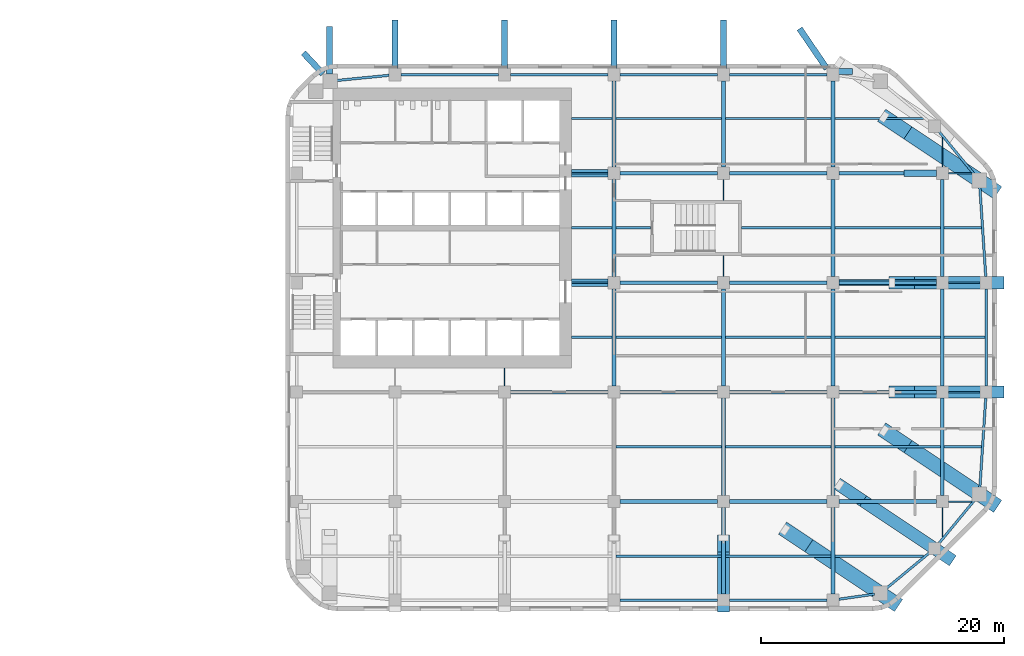
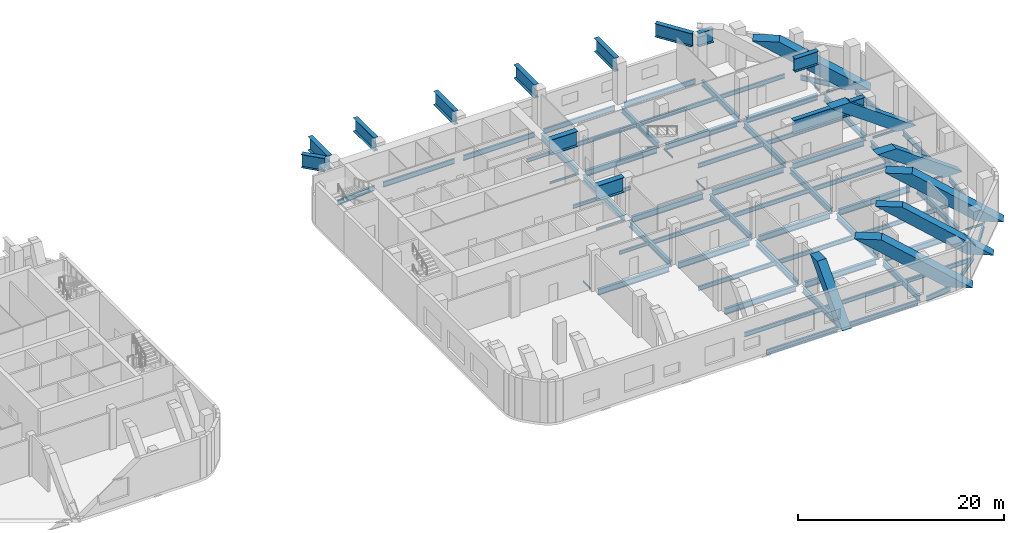
# One storey, part 3 of 14: 86 beams, 7 members.
"""IFC4 building model written with IfcOpenShell, lengths in metres."""

from ifc_helpers import new_model, si_unit, direction, frame, origin, origin_2d, place, context, subcontext, project, spatial, rectangle, i_section, extrude, material, material_profile, profile_set, type_object, element, save


model = new_model("IFC4")

# Units and contexts
model_context = context("Model", 3, precision=1e-05, world=origin(), true_north=direction((0.0, 1.0)))
body_context = subcontext(model_context, "Body", "Model", "MODEL_VIEW")
ifc_project = project(units=[si_unit("LENGTHUNIT", "METRE"), si_unit("AREAUNIT", "SQUARE_METRE"), si_unit("VOLUMEUNIT", "CUBIC_METRE"), si_unit("PLANEANGLEUNIT", "RADIAN"), si_unit("MASSUNIT", "GRAM", prefix="KILO")], contexts=[model_context])

# Site, building, storey
site_placement = place(None, origin())
site = spatial("IfcSite", under=ifc_project, at=site_placement, CompositionType="ELEMENT")
building_placement = place(site_placement, origin())
building = spatial("IfcBuilding", under=site, at=building_placement, Name="Cinnabar Reach Civic Tower", CompositionType="ELEMENT")
storey_placement = place(building_placement, frame((0.0, 0.0, 95.0)))
storey = spatial("IfcBuildingStorey", under=building, at=storey_placement, Name="L22", CompositionType="ELEMENT", Elevation=95.0)

# Beams
ifc_material_1 = material(Name="Steel Q355B", Category="steel")
ifc_material_profile_1 = material_profile(ifc_material_1, i_section(OverallWidth=0.099, OverallDepth=0.198, WebThickness=0.0045, FlangeThickness=0.007, FilletRadius=0.013, at=origin_2d()), Name="HN200x100x5.5x8")
ifc_profile_set_1 = profile_set([ifc_material_profile_1], Name="Steel Q355B")
beam_type_1 = type_object("IfcBeamType", Name="HN200x100x5.5x8 beam R 180", PredefinedType="BEAM", material=ifc_profile_set_1)
beam_1_placement = place(storey_placement, frame((18.0, 18.502, -0.399), z_axis=(0.0, 1.0, 0.0), x_axis=(-1.0, 0.0, 0.0)))
element("IfcBeam", 1, at=beam_1_placement, inside=storey, type_object=beam_type_1, Name="Girder T1 L22 6", PredefinedType="BEAM", context=body_context, shape_type="SweptSolid", body=[
    extrude(i_section(OverallWidth=0.099, OverallDepth=0.198, WebThickness=0.0045, FlangeThickness=0.007, FilletRadius=0.013, at=origin_2d()), origin(), (0.0, 0.0, 1.0), 1.496),
])
for number, where, z_axis, x_axis, name in (
    (2, (36.0, 27.502, -0.399), (0.0, 1.0, 0.0), (-1.0, 0.0, 0.0), "Girder T1 L22 15"),
    (3, (36.0, 33.752, -0.399), (0.0, 1.0, 0.0), (-1.0, 0.0, 0.0), "Girder T1 L22 16"),
):
    element("IfcBeam", number, at=place(storey_placement, frame(where, z_axis=z_axis, x_axis=x_axis)), inside=storey, type_object=beam_type_1, Name=name, PredefinedType="BEAM", context=body_context, shape_type="SweptSolid", body=[
        extrude(i_section(OverallWidth=0.099, OverallDepth=0.198, WebThickness=0.0045, FlangeThickness=0.007, FilletRadius=0.013, at=origin_2d()), origin(), (0.0, 0.0, 1.0), 1.746),
    ])
for number, where, z_axis, x_axis, name in (
    (4, (54.0, 6.0682, -0.399), (0.0, 1.0, 0.0), (-1.0, 0.0, 0.0), "Girder T1 L22 23"),
    (5, (54.0, 36.502, -0.399), (0.0, 1.0, 0.0), (-1.0, 0.0, 0.0), "Girder T1 L22 27"),
):
    element("IfcBeam", number, at=place(storey_placement, frame(where, z_axis=z_axis, x_axis=x_axis)), inside=storey, type_object=beam_type_1, Name=name, PredefinedType="BEAM", context=body_context, shape_type="SweptSolid", body=[
        extrude(i_section(OverallWidth=0.099, OverallDepth=0.198, WebThickness=0.0045, FlangeThickness=0.007, FilletRadius=0.013, at=origin_2d()), origin(), (0.0, 0.0, 1.0), 2.4298),
    ])
ifc_material_profile_2 = material_profile(ifc_material_1, i_section(OverallWidth=0.124, OverallDepth=0.248, WebThickness=0.005, FlangeThickness=0.008, FilletRadius=0.013, at=origin_2d()), Name="HN250x125x6x9")
ifc_profile_set_2 = profile_set([ifc_material_profile_2], Name="Steel Q355B")
beam_type_2 = type_object("IfcBeamType", Name="HN250x125x6x9 beam R 180", PredefinedType="BEAM", material=ifc_profile_set_2)
beam_2_placement = place(storey_placement, frame((54.502, 9.0, -0.424), z_axis=(1.0, 0.0, 0.0), x_axis=(0.0, 1.0, 0.0)))
element("IfcBeam", 6, at=beam_2_placement, inside=storey, type_object=beam_type_2, Name="Girder T1 L22 7", PredefinedType="BEAM", context=body_context, shape_type="SweptSolid", body=[
    extrude(i_section(OverallWidth=0.124, OverallDepth=0.248, WebThickness=0.005, FlangeThickness=0.008, FilletRadius=0.013, at=origin_2d()), origin(), (0.0, 0.0, 1.0), 1.9162),
])
beam_3_placement = place(storey_placement, frame((54.502, 18.0, -0.424), z_axis=(1.0, 0.0, 0.0), x_axis=(0.0, 1.0, 0.0)))
element("IfcBeam", 7, at=beam_3_placement, inside=storey, type_object=beam_type_2, Name="Girder T1 L22 14", PredefinedType="BEAM", context=body_context, shape_type="SweptSolid", body=[
    extrude(i_section(OverallWidth=0.124, OverallDepth=0.248, WebThickness=0.005, FlangeThickness=0.008, FilletRadius=0.013, at=origin_2d()), origin(), (0.0, 0.0, 1.0), 2.596),
])
beam_4_placement = place(storey_placement, frame((23.502, 27.0, -0.424), z_axis=(1.0, 0.0, 0.0), x_axis=(0.0, 1.0, 0.0)))
element("IfcBeam", 8, at=beam_4_placement, inside=storey, type_object=beam_type_2, Name="Girder T1 L22 15", PredefinedType="BEAM", context=body_context, shape_type="SweptSolid", body=[
    extrude(i_section(OverallWidth=0.124, OverallDepth=0.248, WebThickness=0.005, FlangeThickness=0.008, FilletRadius=0.013, at=origin_2d()), origin(), (0.0, 0.0, 1.0), 2.996),
])
beam_5_placement = place(storey_placement, frame((54.502, 27.0, -0.424), z_axis=(1.0, 0.0, 0.0), x_axis=(0.0, 1.0, 0.0)))
element("IfcBeam", 9, at=beam_5_placement, inside=storey, type_object=beam_type_2, Name="Girder T1 L22 19", PredefinedType="BEAM", context=body_context, shape_type="SweptSolid", body=[
    extrude(i_section(OverallWidth=0.124, OverallDepth=0.248, WebThickness=0.005, FlangeThickness=0.008, FilletRadius=0.013, at=origin_2d()), origin(), (0.0, 0.0, 1.0), 2.596),
])
beam_6_placement = place(storey_placement, frame((23.502, 36.0, -0.424), z_axis=(1.0, 0.0, 0.0), x_axis=(0.0, 1.0, 0.0)))
element("IfcBeam", 10, at=beam_6_placement, inside=storey, type_object=beam_type_2, Name="Girder T1 L22 20", PredefinedType="BEAM", context=body_context, shape_type="SweptSolid", body=[
    extrude(i_section(OverallWidth=0.124, OverallDepth=0.248, WebThickness=0.005, FlangeThickness=0.008, FilletRadius=0.013, at=origin_2d()), origin(), (0.0, 0.0, 1.0), 2.996),
])
beam_7_placement = place(storey_placement, frame((54.502, 36.0, -0.424), z_axis=(1.0, 0.0, 0.0), x_axis=(0.0, 1.0, 0.0)))
element("IfcBeam", 11, at=beam_7_placement, inside=storey, type_object=beam_type_2, Name="Girder T1 L22 24", PredefinedType="BEAM", context=body_context, shape_type="SweptSolid", body=[
    extrude(i_section(OverallWidth=0.124, OverallDepth=0.248, WebThickness=0.005, FlangeThickness=0.008, FilletRadius=0.013, at=origin_2d()), origin(), (0.0, 0.0, 1.0), 1.9162),
])
ifc_material_profile_3 = material_profile(ifc_material_1, i_section(OverallWidth=0.2, OverallDepth=0.4, WebThickness=0.008, FlangeThickness=0.013, FilletRadius=0.016, at=origin_2d()), Name="HN400x200x8x13")
ifc_profile_set_3 = profile_set([ifc_material_profile_3], Name="Steel Q355B")
beam_type_3 = type_object("IfcBeamType", Name="HN400x200x8x13 beam R 180", PredefinedType="BEAM", material=ifc_profile_set_3)
beam_8_placement = place(storey_placement, frame((54.152, 13.5, -0.5), z_axis=(1.0, 0.0, 0.0), x_axis=(0.0, 1.0, 0.0)))
element("IfcBeam", 12, at=beam_8_placement, inside=storey, type_object=beam_type_3, Name="Secondary beam T1 L22 13", PredefinedType="BEAM", context=body_context, shape_type="SweptSolid", body=[
    extrude(i_section(OverallWidth=0.2, OverallDepth=0.4, WebThickness=0.008, FlangeThickness=0.013, FilletRadius=0.016, at=origin_2d()), origin(), (0.0, 0.0, 1.0), 3.0494),
])
for number, where, z_axis, x_axis, name in (
    (13, (23.502, 22.5, -0.5), (1.0, 0.0, 0.0), (0.0, 1.0, 0.0), "Secondary beam T1 L22 14"),
    (14, (54.152, 22.5, -0.5), (1.0, 0.0, 0.0), (0.0, 1.0, 0.0), "Secondary beam T1 L22 18"),
    (15, (23.502, 31.5, -0.5), (1.0, 0.0, 0.0), (0.0, 1.0, 0.0), "Secondary beam T1 L22 20"),
):
    element("IfcBeam", number, at=place(storey_placement, frame(where, z_axis=z_axis, x_axis=x_axis)), inside=storey, type_object=beam_type_3, Name=name, PredefinedType="BEAM", context=body_context, shape_type="SweptSolid", body=[
        extrude(i_section(OverallWidth=0.2, OverallDepth=0.4, WebThickness=0.008, FlangeThickness=0.013, FilletRadius=0.016, at=origin_2d()), origin(), (0.0, 0.0, 1.0), 3.346),
    ])
beam_9_placement = place(storey_placement, frame((27.152, 31.5, -0.5), z_axis=(1.0, 0.0, 0.0), x_axis=(0.0, 1.0, 0.0)))
element("IfcBeam", 16, at=beam_9_placement, inside=storey, type_object=beam_type_3, Name="Secondary beam T1 L22 21", PredefinedType="BEAM", context=body_context, shape_type="SweptSolid", body=[
    extrude(i_section(OverallWidth=0.2, OverallDepth=0.4, WebThickness=0.008, FlangeThickness=0.013, FilletRadius=0.016, at=origin_2d()), origin(), (0.0, 0.0, 1.0), 2.846),
])
beam_10_placement = place(storey_placement, frame((54.152, 31.5, -0.5), z_axis=(1.0, 0.0, 0.0), x_axis=(0.0, 1.0, 0.0)))
element("IfcBeam", 17, at=beam_10_placement, inside=storey, type_object=beam_type_3, Name="Secondary beam T1 L22 24", PredefinedType="BEAM", context=body_context, shape_type="SweptSolid", body=[
    extrude(i_section(OverallWidth=0.2, OverallDepth=0.4, WebThickness=0.008, FlangeThickness=0.013, FilletRadius=0.016, at=origin_2d()), origin(), (0.0, 0.0, 1.0), 3.0494),
])
beam_11_placement = place(storey_placement, frame((23.502, 40.5, -0.5), z_axis=(1.0, 0.0, 0.0), x_axis=(0.0, 1.0, 0.0)))
element("IfcBeam", 18, at=beam_11_placement, inside=storey, type_object=beam_type_3, Name="Secondary beam T1 L22 25", PredefinedType="BEAM", context=body_context, shape_type="SweptSolid", body=[
    extrude(i_section(OverallWidth=0.2, OverallDepth=0.4, WebThickness=0.008, FlangeThickness=0.013, FilletRadius=0.016, at=origin_2d()), origin(), (0.0, 0.0, 1.0), 3.346),
])
ifc_material_profile_4 = material_profile(ifc_material_1, i_section(OverallWidth=0.2, OverallDepth=0.5, WebThickness=0.01, FlangeThickness=0.016, FilletRadius=0.016, at=origin_2d()), Name="HN500x200x10x16")
ifc_profile_set_4 = profile_set([ifc_material_profile_4], Name="Steel Q355B")
beam_type_4 = type_object("IfcBeamType", Name="HN500x200x10x16 beam R 180", PredefinedType="BEAM", material=ifc_profile_set_4)
for number, where, z_axis, x_axis, name in (
    (19, (27.152, 4.5, -0.55), (1.0, 0.0, 0.0), (0.0, 1.0, 0.0), "Secondary beam T1 L22 4"),
    (20, (36.152, 4.5, -0.55), (1.0, 0.0, 0.0), (0.0, 1.0, 0.0), "Secondary beam T1 L22 5"),
):
    element("IfcBeam", number, at=place(storey_placement, frame(where, z_axis=z_axis, x_axis=x_axis)), inside=storey, type_object=beam_type_4, Name=name, PredefinedType="BEAM", context=body_context, shape_type="SweptSolid", body=[
        extrude(i_section(OverallWidth=0.2, OverallDepth=0.5, WebThickness=0.01, FlangeThickness=0.016, FilletRadius=0.016, at=origin_2d()), origin(), (0.0, 0.0, 1.0), 8.696),
    ])
beam_12_placement = place(storey_placement, frame((45.152, 4.5, -0.55), z_axis=(1.0, 0.0, 0.0), x_axis=(0.0, 1.0, 0.0)))
element("IfcBeam", 21, at=beam_12_placement, inside=storey, type_object=beam_type_4, Name="Secondary beam T1 L22 6", PredefinedType="BEAM", context=body_context, shape_type="SweptSolid", body=[
    extrude(i_section(OverallWidth=0.2, OverallDepth=0.5, WebThickness=0.01, FlangeThickness=0.016, FilletRadius=0.016, at=origin_2d()), origin(), (0.0, 0.0, 1.0), 7.2798),
])
for number, where, z_axis, x_axis, name in (
    (22, (27.152, 13.5, -0.55), (1.0, 0.0, 0.0), (0.0, 1.0, 0.0), "Secondary beam T1 L22 10"),
    (23, (36.152, 13.5, -0.55), (1.0, 0.0, 0.0), (0.0, 1.0, 0.0), "Secondary beam T1 L22 11"),
    (24, (45.152, 13.5, -0.55), (1.0, 0.0, 0.0), (0.0, 1.0, 0.0), "Secondary beam T1 L22 12"),
    (25, (27.152, 22.5, -0.55), (1.0, 0.0, 0.0), (0.0, 1.0, 0.0), "Secondary beam T1 L22 15"),
    (26, (36.152, 22.5, -0.55), (1.0, 0.0, 0.0), (0.0, 1.0, 0.0), "Secondary beam T1 L22 16"),
    (27, (45.152, 22.5, -0.55), (1.0, 0.0, 0.0), (0.0, 1.0, 0.0), "Secondary beam T1 L22 17"),
):
    element("IfcBeam", number, at=place(storey_placement, frame(where, z_axis=z_axis, x_axis=x_axis)), inside=storey, type_object=beam_type_4, Name=name, PredefinedType="BEAM", context=body_context, shape_type="SweptSolid", body=[
        extrude(i_section(OverallWidth=0.2, OverallDepth=0.5, WebThickness=0.01, FlangeThickness=0.016, FilletRadius=0.016, at=origin_2d()), origin(), (0.0, 0.0, 1.0), 8.696),
    ])
beam_13_placement = place(storey_placement, frame((37.502, 31.5, -0.55), z_axis=(1.0, 0.0, 0.0), x_axis=(0.0, 1.0, 0.0)))
element("IfcBeam", 28, at=beam_13_placement, inside=storey, type_object=beam_type_4, Name="Secondary beam T1 L22 22", PredefinedType="BEAM", context=body_context, shape_type="SweptSolid", body=[
    extrude(i_section(OverallWidth=0.2, OverallDepth=0.5, WebThickness=0.01, FlangeThickness=0.016, FilletRadius=0.016, at=origin_2d()), origin(), (0.0, 0.0, 1.0), 7.346),
])
for number, where, z_axis, x_axis, name in (
    (29, (45.152, 31.5, -0.55), (1.0, 0.0, 0.0), (0.0, 1.0, 0.0), "Secondary beam T1 L22 23"),
    (30, (27.152, 40.5, -0.55), (1.0, 0.0, 0.0), (0.0, 1.0, 0.0), "Secondary beam T1 L22 26"),
    (31, (36.152, 40.5, -0.55), (1.0, 0.0, 0.0), (0.0, 1.0, 0.0), "Secondary beam T1 L22 27"),
):
    element("IfcBeam", number, at=place(storey_placement, frame(where, z_axis=z_axis, x_axis=x_axis)), inside=storey, type_object=beam_type_4, Name=name, PredefinedType="BEAM", context=body_context, shape_type="SweptSolid", body=[
        extrude(i_section(OverallWidth=0.2, OverallDepth=0.5, WebThickness=0.01, FlangeThickness=0.016, FilletRadius=0.016, at=origin_2d()), origin(), (0.0, 0.0, 1.0), 8.696),
    ])
beam_14_placement = place(storey_placement, frame((45.152, 40.5, -0.55), z_axis=(1.0, 0.0, 0.0), x_axis=(0.0, 1.0, 0.0)))
element("IfcBeam", 32, at=beam_14_placement, inside=storey, type_object=beam_type_4, Name="Secondary beam T1 L22 28", PredefinedType="BEAM", context=body_context, shape_type="SweptSolid", body=[
    extrude(i_section(OverallWidth=0.2, OverallDepth=0.5, WebThickness=0.01, FlangeThickness=0.016, FilletRadius=0.016, at=origin_2d()), origin(), (0.0, 0.0, 1.0), 7.2798),
])
ifc_material_profile_5 = material_profile(ifc_material_1, i_section(OverallWidth=0.2, OverallDepth=0.6, WebThickness=0.011, FlangeThickness=0.017, FilletRadius=0.016, at=origin_2d()), Name="HN600x200x11x17")
ifc_profile_set_5 = profile_set([ifc_material_profile_5], Name="Steel Q355B")
beam_type_5 = type_object("IfcBeamType", Name="HN600x200x11x17 beam R 180", PredefinedType="BEAM", material=ifc_profile_set_5)
for number, where, z_axis, x_axis, name in (
    (33, (27.502, 0.9, -0.6), (1.0, 0.0, 0.0), (0.0, 1.0, 0.0), "Edge beam T1 L22 4"),
    (34, (36.502, 0.9, -0.6), (1.0, 0.0, 0.0), (0.0, 1.0, 0.0), "Edge beam T1 L22 5"),
):
    element("IfcBeam", number, at=place(storey_placement, frame(where, z_axis=z_axis, x_axis=x_axis)), inside=storey, type_object=beam_type_5, Name=name, PredefinedType="BEAM", context=body_context, shape_type="SweptSolid", body=[
        extrude(i_section(OverallWidth=0.2, OverallDepth=0.6, WebThickness=0.011, FlangeThickness=0.017, FilletRadius=0.016, at=origin_2d()), origin(), (0.0, 0.0, 1.0), 7.996),
    ])
beam_15_placement = place(storey_placement, frame((45.502, 0.9712, -0.6), z_axis=(0.990082238922, 0.140489003738, 0.0), x_axis=(-0.140489003738, 0.990082238922, 0.0)))
element("IfcBeam", 35, at=beam_15_placement, inside=storey, type_object=beam_type_5, Name="Edge beam T1 L22 6", PredefinedType="BEAM", context=body_context, shape_type="SweptSolid", body=[
    extrude(i_section(OverallWidth=0.2, OverallDepth=0.6, WebThickness=0.011, FlangeThickness=0.017, FilletRadius=0.016, at=origin_2d()), origin(), (0.0, 0.0, 1.0), 2.9433),
])
for number, where, z_axis, x_axis, name in (
    (36, (49.3801, 1.8507, -0.6), (0.77143827905, 0.6363041581, 0.0), (-0.6363041581, 0.77143827905, 0.0), "Edge beam T1 L22 7"),
    (37, (53.6461, 5.4789, -0.6), (0.6363041581, 0.77143827905, 0.0), (-0.77143827905, 0.6363041581, 0.0), "Edge beam T1 L22 8"),
):
    element("IfcBeam", number, at=place(storey_placement, frame(where, z_axis=z_axis, x_axis=x_axis)), inside=storey, type_object=beam_type_5, Name=name, PredefinedType="BEAM", context=body_context, shape_type="SweptSolid", body=[
        extrude(i_section(OverallWidth=0.2, OverallDepth=0.6, WebThickness=0.011, FlangeThickness=0.017, FilletRadius=0.016, at=origin_2d()), origin(), (0.0, 0.0, 1.0), 4.7198),
    ])
beam_16_placement = place(storey_placement, frame((57.0786, 10.0839, -0.6), z_axis=(0.065718615968, 0.997838195057, 0.0), x_axis=(-0.997838195057, 0.065718615968, 0.0)))
element("IfcBeam", 38, at=beam_16_placement, inside=storey, type_object=beam_type_5, Name="Edge beam T1 L22 9", PredefinedType="BEAM", context=body_context, shape_type="SweptSolid", body=[
    extrude(i_section(OverallWidth=0.2, OverallDepth=0.6, WebThickness=0.011, FlangeThickness=0.017, FilletRadius=0.016, at=origin_2d()), origin(), (0.0, 0.0, 1.0), 7.4302),
])
beam_17_placement = place(storey_placement, frame((57.6, 18.502, -0.6), z_axis=(0.0, 1.0, 0.0), x_axis=(-1.0, 0.0, 0.0)))
element("IfcBeam", 39, at=beam_17_placement, inside=storey, type_object=beam_type_5, Name="Edge beam T1 L22 10", PredefinedType="BEAM", context=body_context, shape_type="SweptSolid", body=[
    extrude(i_section(OverallWidth=0.2, OverallDepth=0.6, WebThickness=0.011, FlangeThickness=0.017, FilletRadius=0.016, at=origin_2d()), origin(), (0.0, 0.0, 1.0), 7.996),
])
beam_18_placement = place(storey_placement, frame((57.5669, 27.502, -0.6), z_axis=(-0.065718615968, 0.997838195057, 0.0), x_axis=(-0.997838195057, -0.065718615968, 0.0)))
element("IfcBeam", 40, at=beam_18_placement, inside=storey, type_object=beam_type_5, Name="Edge beam T1 L22 11", PredefinedType="BEAM", context=body_context, shape_type="SweptSolid", body=[
    extrude(i_section(OverallWidth=0.2, OverallDepth=0.6, WebThickness=0.011, FlangeThickness=0.017, FilletRadius=0.016, at=origin_2d()), origin(), (0.0, 0.0, 1.0), 7.4302),
])
beam_19_placement = place(storey_placement, frame((56.6493, 35.8801, -0.6), z_axis=(-0.6363041581, 0.77143827905, 0.0), x_axis=(-0.77143827905, -0.6363041581, 0.0)))
element("IfcBeam", 41, at=beam_19_placement, inside=storey, type_object=beam_type_5, Name="Edge beam T1 L22 12", PredefinedType="BEAM", context=body_context, shape_type="SweptSolid", body=[
    extrude(i_section(OverallWidth=0.2, OverallDepth=0.6, WebThickness=0.011, FlangeThickness=0.017, FilletRadius=0.016, at=origin_2d()), origin(), (0.0, 0.0, 1.0), 4.7198),
])
for number, where, z_axis, x_axis, name in (
    (42, (44.498, 44.1, -0.6), (-1.0, 0.0, 0.0), (0.0, -1.0, 0.0), "Edge beam T1 L22 15"),
    (43, (35.498, 44.1, -0.6), (-1.0, 0.0, 0.0), (0.0, -1.0, 0.0), "Edge beam T1 L22 16"),
    (44, (26.498, 44.1, -0.6), (-1.0, 0.0, 0.0), (0.0, -1.0, 0.0), "Edge beam T1 L22 17"),
    (45, (17.498, 44.1, -0.6), (-1.0, 0.0, 0.0), (0.0, -1.0, 0.0), "Edge beam T1 L22 18"),
):
    element("IfcBeam", number, at=place(storey_placement, frame(where, z_axis=z_axis, x_axis=x_axis)), inside=storey, type_object=beam_type_5, Name=name, PredefinedType="BEAM", context=body_context, shape_type="SweptSolid", body=[
        extrude(i_section(OverallWidth=0.2, OverallDepth=0.6, WebThickness=0.011, FlangeThickness=0.017, FilletRadius=0.016, at=origin_2d()), origin(), (0.0, 0.0, 1.0), 7.996),
    ])
beam_20_placement = place(storey_placement, frame((8.498, 44.0505, -0.6), z_axis=(-0.995166374533, -0.098203294236, 0.0), x_axis=(0.098203294236, -0.995166374533, 0.0)))
element("IfcBeam", 46, at=beam_20_placement, inside=storey, type_object=beam_type_5, Name="Edge beam T1 L22 19", PredefinedType="BEAM", context=body_context, shape_type="SweptSolid", body=[
    extrude(i_section(OverallWidth=0.2, OverallDepth=0.6, WebThickness=0.011, FlangeThickness=0.017, FilletRadius=0.016, at=origin_2d()), origin(), (0.0, 0.0, 1.0), 4.3705),
])
ifc_material_profile_6 = material_profile(ifc_material_1, i_section(OverallWidth=0.3, OverallDepth=0.692, WebThickness=0.013, FlangeThickness=0.02, FilletRadius=0.016, at=origin_2d()), Name="HN692x300x13x20")
ifc_profile_set_6 = profile_set([ifc_material_profile_6], Name="Steel Q355B")
beam_type_6 = type_object("IfcBeamType", Name="HN692x300x13x20 beam R 180", PredefinedType="BEAM", material=ifc_profile_set_6)
for number, where, z_axis, x_axis, name in (
    (47, (27.0, 18.502, -0.646), (0.0, 1.0, 0.0), (-1.0, 0.0, 0.0), "Girder T1 L22 9"),
    (48, (27.0, 27.502, -0.646), (0.0, 1.0, 0.0), (-1.0, 0.0, 0.0), "Girder T1 L22 10"),
):
    element("IfcBeam", number, at=place(storey_placement, frame(where, z_axis=z_axis, x_axis=x_axis)), inside=storey, type_object=beam_type_6, Name=name, PredefinedType="BEAM", context=body_context, shape_type="SweptSolid", body=[
        extrude(i_section(OverallWidth=0.3, OverallDepth=0.692, WebThickness=0.013, FlangeThickness=0.02, FilletRadius=0.016, at=origin_2d()), origin(), (0.0, 0.0, 1.0), 7.996),
    ])
for number, where, z_axis, x_axis, name in (
    (49, (27.0, 36.502, -0.646), (0.0, 1.0, 0.0), (-1.0, 0.0, 0.0), "Girder T1 L22 11"),
    (50, (36.0, 1.402, -0.646), (0.0, 1.0, 0.0), (-1.0, 0.0, 0.0), "Girder T1 L22 12"),
):
    element("IfcBeam", number, at=place(storey_placement, frame(where, z_axis=z_axis, x_axis=x_axis)), inside=storey, type_object=beam_type_6, Name=name, PredefinedType="BEAM", context=body_context, shape_type="SweptSolid", body=[
        extrude(i_section(OverallWidth=0.3, OverallDepth=0.692, WebThickness=0.013, FlangeThickness=0.02, FilletRadius=0.016, at=origin_2d()), origin(), (0.0, 0.0, 1.0), 7.096),
    ])
for number, where, z_axis, x_axis, name in (
    (51, (36.0, 9.502, -0.646), (0.0, 1.0, 0.0), (-1.0, 0.0, 0.0), "Girder T1 L22 13"),
    (52, (36.0, 18.502, -0.646), (0.0, 1.0, 0.0), (-1.0, 0.0, 0.0), "Girder T1 L22 14"),
):
    element("IfcBeam", number, at=place(storey_placement, frame(where, z_axis=z_axis, x_axis=x_axis)), inside=storey, type_object=beam_type_6, Name=name, PredefinedType="BEAM", context=body_context, shape_type="SweptSolid", body=[
        extrude(i_section(OverallWidth=0.3, OverallDepth=0.692, WebThickness=0.013, FlangeThickness=0.02, FilletRadius=0.016, at=origin_2d()), origin(), (0.0, 0.0, 1.0), 7.996),
    ])
for number, where, z_axis, x_axis, name in (
    (53, (36.0, 36.502, -0.646), (0.0, 1.0, 0.0), (-1.0, 0.0, 0.0), "Girder T1 L22 17"),
    (54, (45.0, 1.402, -0.646), (0.0, 1.0, 0.0), (-1.0, 0.0, 0.0), "Girder T1 L22 18"),
):
    element("IfcBeam", number, at=place(storey_placement, frame(where, z_axis=z_axis, x_axis=x_axis)), inside=storey, type_object=beam_type_6, Name=name, PredefinedType="BEAM", context=body_context, shape_type="SweptSolid", body=[
        extrude(i_section(OverallWidth=0.3, OverallDepth=0.692, WebThickness=0.013, FlangeThickness=0.02, FilletRadius=0.016, at=origin_2d()), origin(), (0.0, 0.0, 1.0), 7.096),
    ])
for number, where, z_axis, x_axis, name in (
    (55, (45.0, 9.502, -0.646), (0.0, 1.0, 0.0), (-1.0, 0.0, 0.0), "Girder T1 L22 19"),
    (56, (45.0, 18.502, -0.646), (0.0, 1.0, 0.0), (-1.0, 0.0, 0.0), "Girder T1 L22 20"),
    (57, (45.0, 27.502, -0.646), (0.0, 1.0, 0.0), (-1.0, 0.0, 0.0), "Girder T1 L22 21"),
):
    element("IfcBeam", number, at=place(storey_placement, frame(where, z_axis=z_axis, x_axis=x_axis)), inside=storey, type_object=beam_type_6, Name=name, PredefinedType="BEAM", context=body_context, shape_type="SweptSolid", body=[
        extrude(i_section(OverallWidth=0.3, OverallDepth=0.692, WebThickness=0.013, FlangeThickness=0.02, FilletRadius=0.016, at=origin_2d()), origin(), (0.0, 0.0, 1.0), 7.996),
    ])
beam_21_placement = place(storey_placement, frame((45.0, 36.502, -0.646), z_axis=(0.0, 1.0, 0.0), x_axis=(-1.0, 0.0, 0.0)))
element("IfcBeam", 58, at=beam_21_placement, inside=storey, type_object=beam_type_6, Name="Girder T1 L22 22", PredefinedType="BEAM", context=body_context, shape_type="SweptSolid", body=[
    extrude(i_section(OverallWidth=0.3, OverallDepth=0.692, WebThickness=0.013, FlangeThickness=0.02, FilletRadius=0.016, at=origin_2d()), origin(), (0.0, 0.0, 1.0), 7.096),
])
for number, where, z_axis, x_axis, name in (
    (59, (54.0, 9.502, -0.646), (0.0, 1.0, 0.0), (-1.0, 0.0, 0.0), "Girder T1 L22 24"),
    (60, (54.0, 18.502, -0.646), (0.0, 1.0, 0.0), (-1.0, 0.0, 0.0), "Girder T1 L22 25"),
    (61, (54.0, 27.502, -0.646), (0.0, 1.0, 0.0), (-1.0, 0.0, 0.0), "Girder T1 L22 26"),
):
    element("IfcBeam", number, at=place(storey_placement, frame(where, z_axis=z_axis, x_axis=x_axis)), inside=storey, type_object=beam_type_6, Name=name, PredefinedType="BEAM", context=body_context, shape_type="SweptSolid", body=[
        extrude(i_section(OverallWidth=0.3, OverallDepth=0.692, WebThickness=0.013, FlangeThickness=0.02, FilletRadius=0.016, at=origin_2d()), origin(), (0.0, 0.0, 1.0), 7.996),
    ])
ifc_material_profile_7 = material_profile(ifc_material_1, i_section(OverallWidth=0.3, OverallDepth=0.7, WebThickness=0.013, FlangeThickness=0.024, FilletRadius=0.02, at=origin_2d()), Name="HN700x300x13x24")
ifc_profile_set_7 = profile_set([ifc_material_profile_7], Name="Steel Q355B")
beam_type_7 = type_object("IfcBeamType", Name="HN700x300x13x24 beam R 180", PredefinedType="BEAM", material=ifc_profile_set_7)
for number, where, z_axis, x_axis, name in (
    (62, (27.502, 9.0, -0.65), (1.0, 0.0, 0.0), (0.0, 1.0, 0.0), "Girder T1 L22 4"),
    (63, (36.502, 9.0, -0.65), (1.0, 0.0, 0.0), (0.0, 1.0, 0.0), "Girder T1 L22 5"),
    (64, (45.502, 9.0, -0.65), (1.0, 0.0, 0.0), (0.0, 1.0, 0.0), "Girder T1 L22 6"),
    (65, (18.502, 18.0, -0.65), (1.0, 0.0, 0.0), (0.0, 1.0, 0.0), "Girder T1 L22 10"),
    (66, (27.502, 18.0, -0.65), (1.0, 0.0, 0.0), (0.0, 1.0, 0.0), "Girder T1 L22 11"),
    (67, (36.502, 18.0, -0.65), (1.0, 0.0, 0.0), (0.0, 1.0, 0.0), "Girder T1 L22 12"),
    (68, (45.502, 18.0, -0.65), (1.0, 0.0, 0.0), (0.0, 1.0, 0.0), "Girder T1 L22 13"),
    (69, (27.502, 27.0, -0.65), (1.0, 0.0, 0.0), (0.0, 1.0, 0.0), "Girder T1 L22 16"),
    (70, (36.502, 27.0, -0.65), (1.0, 0.0, 0.0), (0.0, 1.0, 0.0), "Girder T1 L22 17"),
    (71, (45.502, 27.0, -0.65), (1.0, 0.0, 0.0), (0.0, 1.0, 0.0), "Girder T1 L22 18"),
    (72, (27.502, 36.0, -0.65), (1.0, 0.0, 0.0), (0.0, 1.0, 0.0), "Girder T1 L22 21"),
    (73, (36.502, 36.0, -0.65), (1.0, 0.0, 0.0), (0.0, 1.0, 0.0), "Girder T1 L22 22"),
    (74, (45.502, 36.0, -0.65), (1.0, 0.0, 0.0), (0.0, 1.0, 0.0), "Girder T1 L22 23"),
):
    element("IfcBeam", number, at=place(storey_placement, frame(where, z_axis=z_axis, x_axis=x_axis)), inside=storey, type_object=beam_type_7, Name=name, PredefinedType="BEAM", context=body_context, shape_type="SweptSolid", body=[
        extrude(i_section(OverallWidth=0.3, OverallDepth=0.7, WebThickness=0.013, FlangeThickness=0.024, FilletRadius=0.02, at=origin_2d()), origin(), (0.0, 0.0, 1.0), 7.996),
    ])
ifc_material_profile_8 = material_profile(ifc_material_1, i_section(OverallWidth=0.6, OverallDepth=1.8, WebThickness=0.028, FlangeThickness=0.045, at=origin_2d()), Name="BH1800x600x28x45")
ifc_profile_set_8 = profile_set([ifc_material_profile_8], Name="Steel Q355B")
beam_type_8 = type_object("IfcBeamType", Name="OUTRIGGER BH1800x600x28x45 R 240", PredefinedType="BEAM", material=ifc_profile_set_8)
for number, where, z_axis, x_axis, name in (
    (75, (23.502, 27.0, 3.95), (1.0, 0.0, 0.0), (0.0, 1.0, 0.0), "OUTRIGGER girder T1-L22-OG-E27"),
    (76, (23.502, 36.0, 3.95), (1.0, 0.0, 0.0), (0.0, 1.0, 0.0), "OUTRIGGER girder T1-L22-OG-E36"),
):
    element("IfcBeam", number, at=place(storey_placement, frame(where, z_axis=z_axis, x_axis=x_axis)), inside=storey, type_object=beam_type_8, Name=name, PredefinedType="BEAM", context=body_context, shape_type="SweptSolid", body=[
        extrude(i_section(OverallWidth=0.6, OverallDepth=1.8, WebThickness=0.028, FlangeThickness=0.045, at=origin_2d()), origin(), (0.0, 0.0, 1.0), 2.996),
    ])

# Members
ifc_material_2 = material(Name="Concrete C70", Category="concrete")
ifc_material_profile_9 = material_profile(ifc_material_2, rectangle(XDim=1.4, YDim=1.0, at=origin_2d()), Name="RC1400x1000")
ifc_profile_set_9 = profile_set([ifc_material_profile_9], Name="Concrete C70")
member_type_1 = type_object("IfcMemberType", Name="RC1400x1000 raked strut R 240", PredefinedType="STRUT", material=ifc_profile_set_9)
member_1_placement = place(storey_placement, frame((36.0, 0.6216, -0.3), z_axis=(0.0, 0.0, 1.0), x_axis=(0.0, 1.0, 0.0)))
element("IfcMember", 77, at=member_1_placement, inside=storey, type_object=member_type_1, Name="Raked column T1-Z1-F0-4", PredefinedType="STRUT", context=body_context, shape_type="SweptSolid", body=[
    extrude(rectangle(XDim=1.4, YDim=1.0, at=origin_2d()), origin(), (0.680166692317, 0.0, 0.733057481145), 7.23),
])
ifc_material_profile_10 = material_profile(ifc_material_2, rectangle(XDim=2.1, YDim=1.0, at=origin_2d()), Name="RC2100x1000")
ifc_profile_set_10 = profile_set([ifc_material_profile_10], Name="Concrete C70")
member_type_2 = type_object("IfcMemberType", Name="RC2100x1000 raked strut R 240", PredefinedType="STRUT", material=ifc_profile_set_10)
for number, where, z_axis, x_axis, name in (
    (78, (58.0175, 18.0, -0.3), (0.0, 0.0, 1.0), (-1.0, 0.0, 0.0), "Raked column T1-Z1-F2-2"),
    (79, (58.0175, 27.0, -0.3), (0.0, 0.0, 1.0), (-1.0, 0.0, 0.0), "Raked column T1-Z1-F2-3"),
):
    element("IfcMember", number, at=place(storey_placement, frame(where, z_axis=z_axis, x_axis=x_axis)), inside=storey, type_object=member_type_2, Name=name, PredefinedType="STRUT", context=body_context, shape_type="SweptSolid", body=[
        extrude(rectangle(XDim=2.1, YDim=1.0, at=origin_2d()), origin(), (0.812104878122, 0.0, 0.583511496827), 9.0829),
    ])
ifc_material_profile_11 = material_profile(ifc_material_2, rectangle(XDim=2.6, YDim=1.0, at=origin_2d()), Name="RC2600x1000")
ifc_profile_set_11 = profile_set([ifc_material_profile_11], Name="Concrete C70")
member_type_3 = type_object("IfcMemberType", Name="RC2600x1000 raked strut R 240", PredefinedType="STRUT", material=ifc_profile_set_11)
member_2_placement = place(storey_placement, frame((53.7811, 4.858, -0.3), z_axis=(0.0, 0.0, 1.0), x_axis=(-0.83205094808, 0.554699215611, 0.0)))
element("IfcMember", 80, at=member_2_placement, inside=storey, type_object=member_type_3, Name="Raked column T1-Z1-F1-M", PredefinedType="STRUT", context=body_context, shape_type="SweptSolid", body=[
    extrude(rectangle(XDim=2.6, YDim=1.0, at=origin_2d()), origin(), (0.858309710975, -6.382022e-06, 0.513131990822), 10.3287),
])
ifc_material_3 = material(Name="Concrete C80", Category="concrete")
ifc_material_profile_12 = material_profile(ifc_material_3, rectangle(XDim=2.6, YDim=1.2, at=origin_2d()), Name="RC2600x1200")
ifc_profile_set_12 = profile_set([ifc_material_profile_12], Name="Concrete C80")
member_type_4 = type_object("IfcMemberType", Name="RC2600x1200 raked strut R 240", PredefinedType="STRUT", material=ifc_profile_set_12)
for number, where, z_axis, x_axis, name in (
    (81, (49.3156, 1.1747, -0.3), (0.0, 0.0, 1.0), (-0.83205094808, 0.554699215611, 0.0), "Raked column T1-Z1-CC1"),
    (82, (57.4644, 9.3235, -0.3), (0.0, 0.0, 1.0), (-0.83205094808, 0.554699215611, 0.0), "Raked column T1-Z1-CC2"),
    (83, (57.4644, 35.1197, -0.3), (0.0, 0.0, 1.0), (-0.83205094808, 0.554699215611, 0.0), "Raked column T1-Z1-CC3"),
):
    element("IfcMember", number, at=place(storey_placement, frame(where, z_axis=z_axis, x_axis=x_axis)), inside=storey, type_object=member_type_4, Name=name, PredefinedType="STRUT", context=body_context, shape_type="SweptSolid", body=[
        extrude(rectangle(XDim=2.6, YDim=1.2, at=origin_2d()), origin(), (0.858309710975, -6.382022e-06, 0.513131990822), 10.3287),
    ])

# Beams
ifc_material_profile_13 = material_profile(ifc_material_1, i_section(OverallWidth=0.5, OverallDepth=1.6, WebThickness=0.025, FlangeThickness=0.04, at=origin_2d()), Name="BH1600x500x25x40")
ifc_profile_set_13 = profile_set([ifc_material_profile_13], Name="Steel Q355B")
beam_type_9 = type_object("IfcBeamType", Name="TRANSFER BH1600x500x25x40 R 240", PredefinedType="BEAM", material=ifc_profile_set_13)
beam_22_placement = place(storey_placement, frame((44.5, 44.6, 4.05), z_axis=(-0.563620581142, 0.826033801072, 0.0), x_axis=(-0.826033801072, -0.563620581142, 0.0)))
element("IfcBeam", 84, at=beam_22_placement, inside=storey, type_object=beam_type_9, Name="TRANSFER girder T1-L22-TG-CC4", PredefinedType="BEAM", context=body_context, shape_type="SweptSolid", body=[
    extrude(i_section(OverallWidth=0.5, OverallDepth=1.6, WebThickness=0.025, FlangeThickness=0.04, at=origin_2d()), origin(), (0.0, 0.0, 1.0), 3.98),
])
beam_23_placement = place(storey_placement, frame((3.6019, 44.1737, 4.05), z_axis=(0.0, 1.0, 0.0), x_axis=(-1.0, 0.0, 0.0)))
element("IfcBeam", 85, at=beam_23_placement, inside=storey, type_object=beam_type_9, Name="TRANSFER girder T1-L22-TG-CC5", PredefinedType="BEAM", context=body_context, shape_type="SweptSolid", body=[
    extrude(i_section(OverallWidth=0.5, OverallDepth=1.6, WebThickness=0.025, FlangeThickness=0.04, at=origin_2d()), origin(), (0.0, 0.0, 1.0), 3.8732),
])
beam_24_placement = place(storey_placement, frame((3.0666, 44.1737, 4.05), z_axis=(-0.683236527482, 0.730197129216, 0.0), x_axis=(-0.730197129216, -0.683236527482, 0.0)))
element("IfcBeam", 86, at=beam_24_placement, inside=storey, type_object=beam_type_9, Name="TRANSFER girder T1-L22-TG-CC6", PredefinedType="BEAM", context=body_context, shape_type="SweptSolid", body=[
    extrude(i_section(OverallWidth=0.5, OverallDepth=1.6, WebThickness=0.025, FlangeThickness=0.04, at=origin_2d()), origin(), (0.0, 0.0, 1.0), 2.3616),
])
beam_25_placement = place(storey_placement, frame((53.5, 36.0, 4.05), z_axis=(-1.0, 0.0, 0.0), x_axis=(0.0, -1.0, 0.0)))
element("IfcBeam", 87, at=beam_25_placement, inside=storey, type_object=beam_type_9, Name="TRANSFER girder T1-L22-TG-F2-4", PredefinedType="BEAM", context=body_context, shape_type="SweptSolid", body=[
    extrude(i_section(OverallWidth=0.5, OverallDepth=1.6, WebThickness=0.025, FlangeThickness=0.04, at=origin_2d()), origin(), (0.0, 0.0, 1.0), 2.65),
])
beam_26_placement = place(storey_placement, frame((44.9, 44.3636, 4.05), z_axis=(1.0, 0.0, 0.0), x_axis=(0.0, 1.0, 0.0)))
element("IfcBeam", 88, at=beam_26_placement, inside=storey, type_object=beam_type_9, Name="TRANSFER girder T1-L22-TG-F3-M", PredefinedType="BEAM", context=body_context, shape_type="SweptSolid", body=[
    extrude(i_section(OverallWidth=0.5, OverallDepth=1.6, WebThickness=0.025, FlangeThickness=0.04, at=origin_2d()), origin(), (0.0, 0.0, 1.0), 1.7136),
])
for number, where, z_axis, x_axis, name in (
    (89, (9.0, 44.6, 4.05), (0.0, 1.0, 0.0), (-1.0, 0.0, 0.0), "TRANSFER girder T1-L22-TG-F4-1"),
    (90, (18.0, 44.6, 4.05), (0.0, 1.0, 0.0), (-1.0, 0.0, 0.0), "TRANSFER girder T1-L22-TG-F4-2"),
    (91, (27.0, 44.6, 4.05), (0.0, 1.0, 0.0), (-1.0, 0.0, 0.0), "TRANSFER girder T1-L22-TG-F4-3"),
    (92, (36.0, 44.6, 4.05), (0.0, 1.0, 0.0), (-1.0, 0.0, 0.0), "TRANSFER girder T1-L22-TG-F4-4"),
):
    element("IfcBeam", number, at=place(storey_placement, frame(where, z_axis=z_axis, x_axis=x_axis)), inside=storey, type_object=beam_type_9, Name=name, PredefinedType="BEAM", context=body_context, shape_type="SweptSolid", body=[
        extrude(i_section(OverallWidth=0.5, OverallDepth=1.6, WebThickness=0.025, FlangeThickness=0.04, at=origin_2d()), origin(), (0.0, 0.0, 1.0), 3.98),
    ])
beam_27_placement = place(storey_placement, frame((45.5, 27.0, 4.05), z_axis=(1.0, 0.0, 0.0), x_axis=(0.0, 1.0, 0.0)))
element("IfcBeam", 93, at=beam_27_placement, inside=storey, type_object=beam_type_9, Name="TRANSFER girder T1-L22-TG-HF2-3", PredefinedType="BEAM", context=body_context, shape_type="SweptSolid", body=[
    extrude(i_section(OverallWidth=0.5, OverallDepth=1.6, WebThickness=0.025, FlangeThickness=0.04, at=origin_2d()), origin(), (0.0, 0.0, 1.0), 8.0),
])

save(model, "model.ifc")
